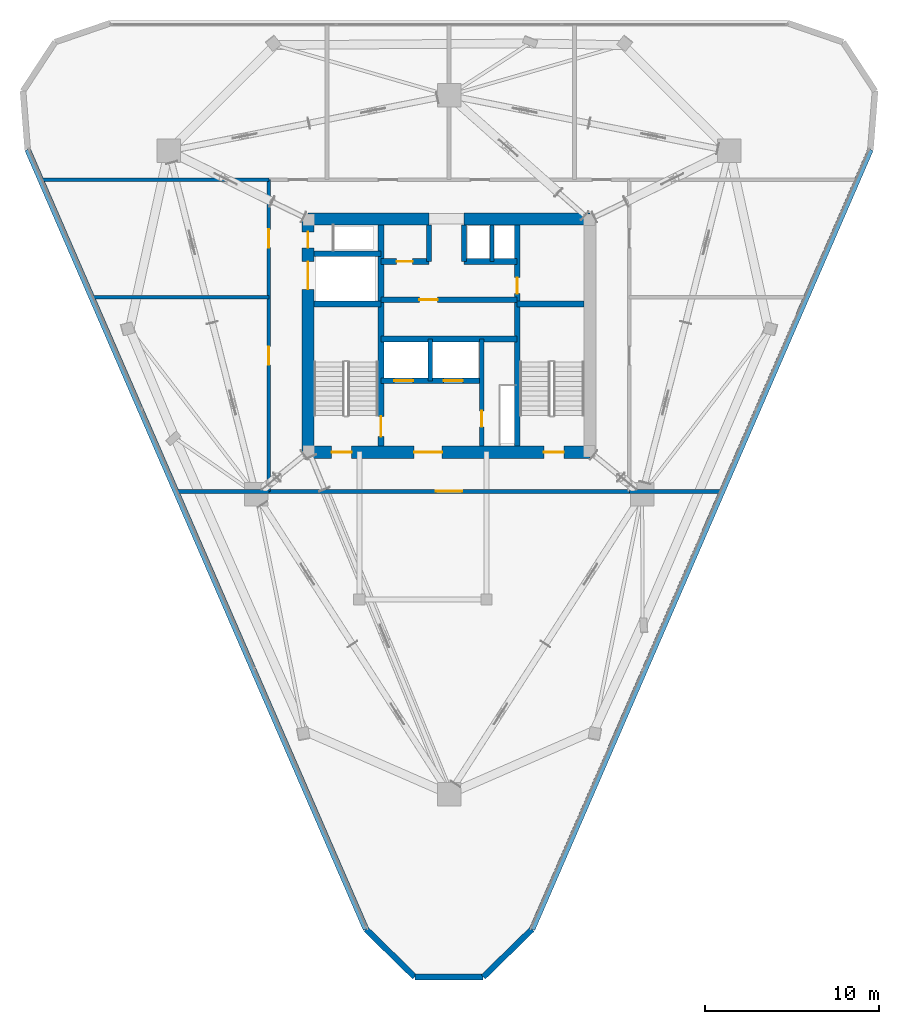
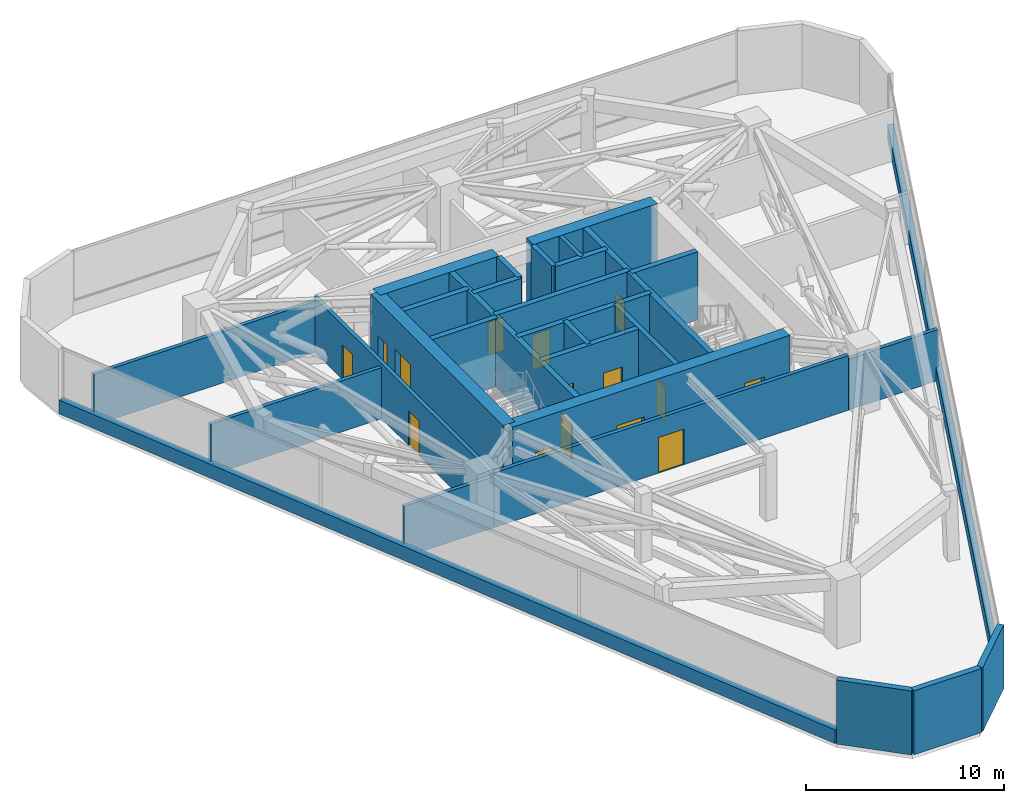
# One storey, part 10 of 12: 30 walls, 15 doors, 15 openings.
"""IFC4 building model written with IfcOpenShell, lengths in metres."""

import ifcopenshell
import ifcopenshell.guid

model = None  # the IFC model being written
_history = None  # IfcOwnerHistory: only IFC2X3 demands one
_inside = {}  # id of a spatial element -> (the spatial element, [elements in it])
_under = {}  # id of a project, library or spatial element -> (it, [spatial elements below it])
_declared = {}  # id of a project -> (the project, [libraries it declares])
_typed = {}  # id of a type object -> (the type object, [elements of that type])
_made_of = {}  # id of a material, layer set ... -> (it, [elements and type objects made of it])


def new_model(schema):
    """Start an empty IFC model of exactly this schema.

    Asked for "IFC4X3", IfcOpenShell would pick the latest addendum, in which some entities
    have other attributes; the version numbers below select the first issue.
    IFC2X3 requires an IfcOwnerHistory on every rooted entity: one is made here for all.
    """
    global model, _history
    if schema == "IFC4X3":
        model = ifcopenshell.file(schema_version=(4, 3, 0, 0))
    else:
        model = ifcopenshell.file(schema=schema)
    _inside.clear()
    _under.clear()
    _declared.clear()
    _typed.clear()
    _made_of.clear()
    _history = None
    if model.schema == "IFC2X3":
        org = make("IfcOrganization", Name="unknown")
        user = make(
            "IfcPersonAndOrganization",
            ThePerson=make("IfcPerson", FamilyName="unknown"),
            TheOrganization=org,
        )
        app = make(
            "IfcApplication",
            ApplicationDeveloper=org,
            Version="unknown",
            ApplicationFullName="unknown",
            ApplicationIdentifier="unknown",
        )
        _history = make(
            "IfcOwnerHistory",
            OwningUser=user,
            OwningApplication=app,
            ChangeAction="ADDED",
            CreationDate=0,
        )
    return model


def make(cls, **values):
    """One entity of the class cls with the attributes given. An attribute that is None is left unset."""
    return model.create_entity(
        cls, **{name: value for name, value in values.items() if value is not None}
    )


def rooted(cls, **values):
    """An entity with a GlobalId (a new one), such as an element, a storey or a relation."""
    return make(cls, GlobalId=ifcopenshell.guid.new(), OwnerHistory=_history, **values)


def si_unit(unit_type, name, prefix=None):
    """IfcSIUnit, for example si_unit("LENGTHUNIT", "METRE", prefix="MILLI")."""
    return make("IfcSIUnit", UnitType=unit_type, Prefix=prefix, Name=name)


def assignment(units):
    """IfcUnitAssignment: the units of a project."""
    return None if units is None else make("IfcUnitAssignment", Units=units)


def point(xyz):
    """IfcCartesianPoint."""
    return None if xyz is None else make("IfcCartesianPoint", Coordinates=xyz)


def direction(xyz):
    """IfcDirection."""
    return None if xyz is None else make("IfcDirection", DirectionRatios=xyz)


def frame(location, z_axis=None, x_axis=None):
    """IfcAxis2Placement3D, a coordinate frame: its origin and axes. An axis left out is left unset."""
    return make(
        "IfcAxis2Placement3D",
        Location=point(location),
        Axis=direction(z_axis),
        RefDirection=direction(x_axis),
    )


def frame_2d(location, x_axis=None):
    """IfcAxis2Placement2D, a coordinate frame in the plane: its origin and x axis."""
    return make(
        "IfcAxis2Placement2D", Location=point(location), RefDirection=direction(x_axis)
    )


def origin():
    """The frame at (0, 0, 0) with its axes left unset."""
    return frame((0.0, 0.0, 0.0))


def place(relative_to, where):
    """IfcLocalPlacement: puts the frame where relative to a parent placement (None: the world)."""
    return make(
        "IfcLocalPlacement", PlacementRelTo=relative_to, RelativePlacement=where
    )


def context(
    kind, dimensions, precision=None, world=None, true_north=None, identifier=None
):
    """IfcGeometricRepresentationContext, for example the 3D "Model" context."""
    return make(
        "IfcGeometricRepresentationContext",
        ContextIdentifier=identifier,
        ContextType=kind,
        CoordinateSpaceDimension=dimensions,
        Precision=precision,
        WorldCoordinateSystem=world,
        TrueNorth=true_north,
    )


def subcontext(parent, identifier, kind, view, scale=None):
    """IfcGeometricRepresentationSubContext, for example "Body" below "Model"."""
    return make(
        "IfcGeometricRepresentationSubContext",
        ContextIdentifier=identifier,
        ContextType=kind,
        ParentContext=parent,
        TargetScale=scale,
        TargetView=view,
    )


def project(units=None, contexts=None):
    """IfcProject with its units and contexts."""
    return rooted(
        "IfcProject",
        Name="project",
        RepresentationContexts=contexts,
        UnitsInContext=assignment(units),
    )


def spatial(cls, under=None, at=None, **own):
    """A site, building, storey or space (cls), placed at a placement, below another one or the project."""
    s = rooted(cls, ObjectPlacement=at, **own)
    if under is not None:
        _under.setdefault(under.id(), (under, []))[1].append(s)
    return s


def profile(cls, at=None, kind="AREA", **sizes):
    """A parametric profile (cls). Its sizes go by their IFC names, for example OverallWidth=200.0."""
    return make(cls, ProfileType=kind, Position=at, **sizes)


def rectangle(**sizes):
    """IfcRectangleProfileDef."""
    return profile("IfcRectangleProfileDef", **sizes)


def extrude(swept, where, along, depth):
    """IfcExtrudedAreaSolid: the profile swept, set in the frame where, extruded along a direction by depth."""
    return make(
        "IfcExtrudedAreaSolid",
        SweptArea=swept,
        Position=where,
        ExtrudedDirection=direction(along),
        Depth=depth,
    )


def shape(context_of_items, identifier, shape_type, items):
    """IfcShapeRepresentation: the items that make up one representation, for example the "Body"."""
    return make(
        "IfcShapeRepresentation",
        ContextOfItems=context_of_items,
        RepresentationIdentifier=identifier,
        RepresentationType=shape_type,
        Items=items,
    )


def material(Name=None, Category=None):
    """IfcMaterial."""
    return make("IfcMaterial", Name=Name, Category=Category)


def layer(
    of_material, thickness, ventilated=None, Name=None, Category=None, Priority=None
):
    """IfcMaterialLayer: one layer of a wall or slab, of a material (None: an air gap)."""
    return make(
        "IfcMaterialLayer",
        Material=of_material,
        LayerThickness=thickness,
        IsVentilated=ventilated,
        Name=Name,
        Category=Category,
        Priority=Priority,
    )


def layer_set(layers, Name=None):
    """IfcMaterialLayerSet."""
    return make("IfcMaterialLayerSet", MaterialLayers=layers, LayerSetName=Name)


def made_of(thing, what):
    """Note that an element or type object is made of a material, layer set ...; save() writes the relation."""
    if what is not None:
        _made_of.setdefault(what.id(), (what, []))[1].append(thing)
    return thing


def type_object(cls, material=None, **own):
    """A type object (cls), such as IfcWallType, which elements share."""
    return made_of(rooted(cls, **own), material)


def element(
    cls,
    number,
    at=None,
    inside=None,
    cuts=None,
    type_object=None,
    material=None,
    context=None,
    identifier="Body",
    shape_type=None,
    held_by="IfcProductDefinitionShape",
    body=None,
    shapes=None,
    **own,
):
    """One element of the class cls, such as IfcWall. Its Tag is "e" and its number.

    at: its placement. inside: the storey or other place that contains it. cuts: it is an
    opening in that element (IfcRelVoidsElement). A single representation is given by context,
    identifier, shape_type and body (its items); several are given by shapes. held_by: the class
    of the entity that holds the representations. save() writes the other relations.
    """
    e = rooted(cls, Tag="e%d" % number, ObjectPlacement=at, **own)
    if body is not None:
        shapes = [shape(context, identifier, shape_type, body)]
    if shapes is not None:
        e.Representation = make(held_by, Representations=shapes)
    if inside is not None:
        _inside.setdefault(inside.id(), (inside, []))[1].append(e)
    if cuts is not None:
        rooted(
            "IfcRelVoidsElement", RelatingBuildingElement=cuts, RelatedOpeningElement=e
        )
    if type_object is not None:
        _typed.setdefault(type_object.id(), (type_object, []))[1].append(e)
    return made_of(e, material)


def fill(opening, filler):
    """IfcRelFillsElement: the door or window that sits in an opening."""
    return rooted(
        "IfcRelFillsElement",
        RelatingOpeningElement=opening,
        RelatedBuildingElement=filler,
    )


def aggregate(whole, parts):
    """IfcRelAggregates: a whole, such as a stair, and the parts it consists of."""
    return rooted("IfcRelAggregates", RelatingObject=whole, RelatedObjects=parts)


def save(model, path):
    """Write the relations noted so far, then the file.

    IfcRelAggregates (storeys below a building ...), IfcRelContainedInSpatialStructure (elements
    in a storey), IfcRelDefinesByType, IfcRelAssociatesMaterial and IfcRelDeclares: one each for
    every whole, place, type object, material and project.
    """
    for whole, parts in _under.values():
        aggregate(whole, parts)
    for where, things in _inside.values():
        rooted(
            "IfcRelContainedInSpatialStructure",
            RelatedElements=things,
            RelatingStructure=where,
        )
    for kind, things in _typed.values():
        rooted("IfcRelDefinesByType", RelatedObjects=things, RelatingType=kind)
    for what, things in _made_of.values():
        rooted("IfcRelAssociatesMaterial", RelatedObjects=things, RelatingMaterial=what)
    for by, libraries in _declared.values():
        rooted("IfcRelDeclares", RelatingContext=by, RelatedDefinitions=libraries)
    model.write(path)


model = new_model("IFC4")

# Units and contexts
model_context = context("Model", 3, precision=1e-05, world=origin(), true_north=direction((0.0, 1.0)))
body_context = subcontext(model_context, "Body", "Model", "MODEL_VIEW")
ifc_project = project(units=[si_unit("LENGTHUNIT", "METRE"), si_unit("AREAUNIT", "SQUARE_METRE"), si_unit("VOLUMEUNIT", "CUBIC_METRE"), si_unit("PLANEANGLEUNIT", "RADIAN"), si_unit("MASSUNIT", "GRAM", prefix="KILO")], contexts=[model_context])

# Site, building, storey
site_placement = place(None, origin())
site = spatial("IfcSite", under=ifc_project, at=site_placement, CompositionType="ELEMENT")
building_placement = place(site_placement, origin())
building = spatial("IfcBuilding", under=site, at=building_placement, Name="Talyreon Biosciences Tower", CompositionType="ELEMENT")
storey_placement = place(building_placement, frame((0.0, 0.0, 227.39990234375)))
storey = spatial("IfcBuildingStorey", under=building, at=storey_placement, Name="L60", CompositionType="ELEMENT", Elevation=227.39990234375)

# Walls
ifc_material_1 = material(Name="Concrete C50/60", Category="concrete")
ifc_layer_1 = layer(ifc_material_1, 0.219970703125)
ifc_layer_set_1 = layer_set([ifc_layer_1], Name="Concrete C50/60")
wall_type_1 = type_object("IfcWallType", Name="CoreShearWall_220", PredefinedType="SHEAR", material=ifc_layer_set_1)
wall_1_placement = place(storey_placement, frame((68.4599609375, 72.25, 0.0), z_axis=(0.0, 0.0, 1.0), x_axis=(0.0, 1.0, 0.0)))
element("IfcWall", 1, at=wall_1_placement, inside=storey, type_object=wall_type_1, Name="L60 Core Shaft Wall SWPHD", PredefinedType="SHEAR", context=body_context, shape_type="SweptSolid", body=[
    extrude(rectangle(XDim=2.10009765625, YDim=0.219970703125, at=frame_2d((1.050048828125, 0.0))), origin(), (0.0, 0.0, 1.0), 4.2001953125),
])
ifc_layer_2 = layer(ifc_material_1, 0.280029296875)
ifc_layer_set_2 = layer_set([ifc_layer_2], Name="Concrete C50/60")
wall_type_2 = type_object("IfcWallType", Name="CoreShearWall_280", PredefinedType="SHEAR", material=ifc_layer_set_2)
wall_2_placement = place(storey_placement, frame((64.919921875, 65.39990234375, 0.0), z_axis=(0.0, 0.0, 1.0), x_axis=(0.0, 1.0, 0.0)))
element("IfcWall", 2, at=wall_2_placement, inside=storey, type_object=wall_type_2, Name="L60 Core Shaft Wall SWSHD1", PredefinedType="SHEAR", context=body_context, shape_type="SweptSolid", body=[
    extrude(rectangle(XDim=2.400146484375, YDim=0.280029296875, at=frame_2d((1.2001953125, 0.0))), origin(), (0.0, 0.0, 1.0), 4.2001953125),
])
for number, where, z_axis, x_axis, name in (
    (3, (64.85009765625, 72.25, 0.0), (0.0, 0.0, 1.0), (0.0, 1.0, 0.0), "L60 Core Shaft Wall SWTHW"),
    (4, (66.85009765625, 72.25, 0.0), (0.0, 0.0, 1.0), (0.0, 1.0, 0.0), "L60 Core Shaft Wall SWTHE"),
):
    element("IfcWall", number, at=place(storey_placement, frame(where, z_axis=z_axis, x_axis=x_axis)), inside=storey, type_object=wall_type_2, Name=name, PredefinedType="SHEAR", context=body_context, shape_type="SweptSolid", body=[
        extrude(rectangle(XDim=2.10009765625, YDim=0.280029296875, at=frame_2d((1.050048828125, 0.0))), origin(), (0.0, 0.0, 1.0), 4.2001953125),
    ])

# Wall, opening, door
wall_3_placement = place(storey_placement, frame((67.8798828125, 61.64990234375, 0.0), z_axis=(0.0, 0.0, 1.0), x_axis=(0.0, 1.0, 0.0)))
wall_3 = element("IfcWall", 5, at=wall_3_placement, inside=storey, type_object=wall_type_2, Name="L60 Core Shaft Wall SWFFE", PredefinedType="SHEAR", context=body_context, shape_type="SweptSolid", body=[
    extrude(rectangle(XDim=6.150146484375, YDim=0.280029296875, at=frame_2d((3.0751953125, 0.0))), origin(), (0.0, 0.0, 1.0), 4.2001953125),
])
opening_1_placement = place(wall_3_placement, frame((1.10009765625, 0.0, 0.0)))
opening_1 = element("IfcOpeningElement", 6, at=opening_1_placement, cuts=wall_3, Name="Opening DR-L60-RSE", PredefinedType="OPENING", context=body_context, shape_type="SweptSolid", body=[
    extrude(rectangle(XDim=0.919921875, YDim=2.050048828125, at=frame_2d((0.4599609375, 1.02490234375))), frame((0.0, 0.14990234375, 0.0), z_axis=(0.0, -1.0, 0.0), x_axis=(1.0, 0.0, 0.0)), (0.0, 0.0, 1.0), 0.300048828125),
])
ifc_material_2 = material(Name="Painted steel fire-rated riser door", Category="steel")
door_type_1 = type_object("IfcDoorType", Name="RiserPlantAccessDoor_920x2050", OperationType="NOTDEFINED", PredefinedType="DOOR", material=ifc_material_2)
door_1_placement = place(opening_1_placement, origin())
door_1 = element("IfcDoor", 7, at=door_1_placement, inside=storey, type_object=door_type_1, Name="L60 Core Door DR-L60-RSE", OperationType="SINGLE_SWING_RIGHT", OverallHeight=2.050048828125, OverallWidth=0.919921875, PredefinedType="DOOR", context=body_context, shape_type="SweptSolid", body=[
    extrude(rectangle(XDim=0.919921875, YDim=2.050048828125, at=frame_2d((0.4599609375, 1.02490234375))), frame((0.0, 0.02490234375, 0.0), z_axis=(0.0, -1.0, 0.0), x_axis=(1.0, 0.0, 0.0)), (0.0, 0.0, 1.0), 0.050048828125),
])
fill(opening_1, door_1)

ifc_layer_3 = layer(ifc_material_1, 0.320068359375)
ifc_layer_set_3 = layer_set([ifc_layer_3], Name="Concrete C50/60")
wall_type_3 = type_object("IfcWallType", Name="CoreShearWall_320", PredefinedType="SHEAR", material=ifc_layer_set_3)
wall_4_placement = place(storey_placement, frame((62.090087890625, 61.64990234375, 0.0), z_axis=(0.0, 0.0, 1.0), x_axis=(0.0, 1.0, 0.0)))
wall_4 = element("IfcWall", 8, at=wall_4_placement, inside=storey, type_object=wall_type_3, Name="L60 Core Shaft Wall SW1E", PredefinedType="SHEAR", context=body_context, shape_type="SweptSolid", body=[
    extrude(rectangle(XDim=12.7001953125, YDim=0.320068359375, at=frame_2d((6.35009765625, 0.0))), origin(), (0.0, 0.0, 1.0), 4.2001953125),
])
opening_2_placement = place(wall_4_placement, frame((0.550048828125, 0.0, 0.0)))
opening_2 = element("IfcOpeningElement", 9, at=opening_2_placement, cuts=wall_4, Name="Opening DR-L60-FF-ST1", PredefinedType="OPENING", context=body_context, shape_type="SweptSolid", body=[
    extrude(rectangle(XDim=1.14990234375, YDim=2.14990234375, at=frame_2d((0.574951171875, 1.074951171875))), frame((0.0, 0.169921875, 0.0), z_axis=(0.0, -1.0, 0.0), x_axis=(1.0, 0.0, 0.0)), (0.0, 0.0, 1.0), 0.340087890625),
])
ifc_material_3 = material(Name="Painted steel fire door", Category="steel")
door_type_2 = type_object("IfcDoorType", Name="StairShaftFireDoor_1150x2150", OperationType="NOTDEFINED", PredefinedType="DOOR", material=ifc_material_3)
door_2_placement = place(opening_2_placement, origin())
door_2 = element("IfcDoor", 10, at=door_2_placement, inside=storey, type_object=door_type_2, Name="L60 Core Door DR-L60-FF-ST1", OperationType="SINGLE_SWING_LEFT", OverallHeight=2.14990234375, OverallWidth=1.14990234375, PredefinedType="DOOR", context=body_context, shape_type="SweptSolid", body=[
    extrude(rectangle(XDim=1.14990234375, YDim=2.14990234375, at=frame_2d((0.574951171875, 1.074951171875))), frame((0.0, 0.02490234375, 0.0), z_axis=(0.0, -1.0, 0.0), x_axis=(1.0, 0.0, 0.0)), (0.0, 0.0, 1.0), 0.050048828125),
])
fill(opening_2, door_2)

wall_5_placement = place(storey_placement, frame((69.909912109375, 61.64990234375, 0.0), z_axis=(0.0, 0.0, 1.0), x_axis=(0.0, 1.0, 0.0)))
wall_5 = element("IfcWall", 11, at=wall_5_placement, inside=storey, type_object=wall_type_3, Name="L60 Core Shaft Wall SW2W", PredefinedType="SHEAR", context=body_context, shape_type="SweptSolid", body=[
    extrude(rectangle(XDim=12.7001953125, YDim=0.320068359375, at=frame_2d((6.35009765625, 0.0))), origin(), (0.0, 0.0, 1.0), 4.2001953125),
])
opening_3_placement = place(wall_5_placement, frame((8.75, 0.0, 0.0)))
opening_3 = element("IfcOpeningElement", 12, at=opening_3_placement, cuts=wall_5, Name="Opening DR-L60-CSRV", PredefinedType="OPENING", context=body_context, shape_type="SweptSolid", body=[
    extrude(rectangle(XDim=0.919921875, YDim=2.050048828125, at=frame_2d((0.4599609375, 1.02490234375))), frame((0.0, 0.169921875, 0.0), z_axis=(0.0, -1.0, 0.0), x_axis=(1.0, 0.0, 0.0)), (0.0, 0.0, 1.0), 0.340087890625),
])
door_3_placement = place(opening_3_placement, origin())
door_3 = element("IfcDoor", 13, at=door_3_placement, inside=storey, type_object=door_type_1, Name="L60 Core Door DR-L60-CSRV", OperationType="SINGLE_SWING_RIGHT", OverallHeight=2.050048828125, OverallWidth=0.919921875, PredefinedType="DOOR", context=body_context, shape_type="SweptSolid", body=[
    extrude(rectangle(XDim=0.919921875, YDim=2.050048828125, at=frame_2d((0.4599609375, 1.02490234375))), frame((0.0, 0.02490234375, 0.0), z_axis=(0.0, -1.0, 0.0), x_axis=(1.0, 0.0, 0.0)), (0.0, 0.0, 1.0), 0.050048828125),
])
fill(opening_3, door_3)

# Walls
for number, where, z_axis, x_axis, name in (
    (14, (58.25, 69.81005859375, 0.0), (0.0, 0.0, 1.0), (1.0, 0.0, 0.0), "L60 Core Shaft Wall SW1N"),
    (15, (69.909912109375, 69.81005859375, 0.0), (0.0, 0.0, 1.0), (1.0, 0.0, 0.0), "L60 Core Shaft Wall SW2N"),
    (16, (58.25, 72.699951171875, 0.0), (0.0, 0.0, 1.0), (1.0, 0.0, 0.0), "L60 Core Shaft Wall SWGLN"),
):
    element("IfcWall", number, at=place(storey_placement, frame(where, z_axis=z_axis, x_axis=x_axis)), inside=storey, type_object=wall_type_3, Name=name, PredefinedType="SHEAR", context=body_context, shape_type="SweptSolid", body=[
        extrude(rectangle(XDim=3.840087890625, YDim=0.320068359375, at=frame_2d((1.919921875, 0.0))), origin(), (0.0, 0.0, 1.0), 4.2001953125),
    ])
wall_6_placement = place(storey_placement, frame((62.090087890625, 67.800048828125, 0.0), z_axis=(0.0, 0.0, 1.0), x_axis=(1.0, 0.0, 0.0)))
element("IfcWall", 17, at=wall_6_placement, inside=storey, type_object=wall_type_3, Name="L60 Core Shaft Wall SWSHM", PredefinedType="SHEAR", context=body_context, shape_type="SweptSolid", body=[
    extrude(rectangle(XDim=7.81982421875, YDim=0.320068359375, at=frame_2d((3.909912109375, 0.0))), origin(), (0.0, 0.0, 1.0), 4.2001953125),
])

# Wall, opening, door
wall_7_placement = place(storey_placement, frame((62.090087890625, 70.050048828125, 0.0), z_axis=(0.0, 0.0, 1.0), x_axis=(1.0, 0.0, 0.0)))
wall_7 = element("IfcWall", 18, at=wall_7_placement, inside=storey, type_object=wall_type_3, Name="L60 Core Shaft Wall SWSPN", PredefinedType="SHEAR", context=body_context, shape_type="SweptSolid", body=[
    extrude(rectangle(XDim=7.81982421875, YDim=0.320068359375, at=frame_2d((3.909912109375, 0.0))), origin(), (0.0, 0.0, 1.0), 4.2001953125),
])
opening_4_placement = place(wall_7_placement, frame((2.199951171875, 0.0, 0.0)))
opening_4 = element("IfcOpeningElement", 19, at=opening_4_placement, cuts=wall_7, Name="Opening DR-L60-PLPMFREE", PredefinedType="OPENING", context=body_context, shape_type="SweptSolid", body=[
    extrude(rectangle(XDim=1.050048828125, YDim=2.14990234375, at=frame_2d((0.52490234375, 1.074951171875))), frame((0.0, 0.169921875, 0.0), z_axis=(0.0, -1.0, 0.0), x_axis=(1.0, 0.0, 0.0)), (0.0, 0.0, 1.0), 0.340087890625),
])
ifc_material_4 = material(Name="Acoustic timber-core laboratory door", Category="wood")
door_type_3 = type_object("IfcDoorType", Name="DryLabSingleDoor_1050x2150", OperationType="NOTDEFINED", PredefinedType="DOOR", material=ifc_material_4)
door_4_placement = place(opening_4_placement, origin())
door_4 = element("IfcDoor", 20, at=door_4_placement, inside=storey, type_object=door_type_3, Name="L60 Core Door DR-L60-PLPMFREE", OperationType="SINGLE_SWING_LEFT", OverallHeight=2.14990234375, OverallWidth=1.050048828125, PredefinedType="DOOR", context=body_context, shape_type="SweptSolid", body=[
    extrude(rectangle(XDim=1.050048828125, YDim=2.14990234375, at=frame_2d((0.52490234375, 1.074951171875))), frame((0.0, 0.02490234375, 0.0), z_axis=(0.0, -1.0, 0.0), x_axis=(1.0, 0.0, 0.0)), (0.0, 0.0, 1.0), 0.050048828125),
])
fill(opening_4, door_4)

wall_8_placement = place(storey_placement, frame((62.090087890625, 72.25, 0.0), z_axis=(0.0, 0.0, 1.0), x_axis=(1.0, 0.0, 0.0)))
wall_8 = element("IfcWall", 21, at=wall_8_placement, inside=storey, type_object=wall_type_3, Name="L60 Core Shaft Wall SWNPW", PredefinedType="SHEAR", context=body_context, shape_type="SweptSolid", body=[
    extrude(rectangle(XDim=2.760009765625, YDim=0.320068359375, at=frame_2d((1.3798828125, 0.0))), origin(), (0.0, 0.0, 1.0), 4.2001953125),
])
opening_5_placement = place(wall_8_placement, frame((0.89990234375, 0.0, 0.0)))
opening_5 = element("IfcOpeningElement", 22, at=opening_5_placement, cuts=wall_8, Name="Opening DR-L60-PM2FREE", PredefinedType="OPENING", context=body_context, shape_type="SweptSolid", body=[
    extrude(rectangle(XDim=0.919921875, YDim=2.050048828125, at=frame_2d((0.4599609375, 1.02490234375))), frame((0.0, 0.169921875, 0.0), z_axis=(0.0, -1.0, 0.0), x_axis=(1.0, 0.0, 0.0)), (0.0, 0.0, 1.0), 0.340087890625),
])
door_5_placement = place(opening_5_placement, origin())
door_5 = element("IfcDoor", 23, at=door_5_placement, inside=storey, type_object=door_type_1, Name="L60 Core Door DR-L60-PM2FREE", OperationType="SINGLE_SWING_RIGHT", OverallHeight=2.050048828125, OverallWidth=0.919921875, PredefinedType="DOOR", context=body_context, shape_type="SweptSolid", body=[
    extrude(rectangle(XDim=0.919921875, YDim=2.050048828125, at=frame_2d((0.4599609375, 1.02490234375))), frame((0.0, 0.02490234375, 0.0), z_axis=(0.0, -1.0, 0.0), x_axis=(1.0, 0.0, 0.0)), (0.0, 0.0, 1.0), 0.050048828125),
])
fill(opening_5, door_5)

# Wall
wall_9_placement = place(storey_placement, frame((66.85009765625, 72.25, 0.0), z_axis=(0.0, 0.0, 1.0), x_axis=(1.0, 0.0, 0.0)))
element("IfcWall", 24, at=wall_9_placement, inside=storey, type_object=wall_type_3, Name="L60 Core Shaft Wall SWNPE", PredefinedType="SHEAR", context=body_context, shape_type="SweptSolid", body=[
    extrude(rectangle(XDim=3.059814453125, YDim=0.320068359375, at=frame_2d((1.52978515625, 0.0))), origin(), (0.0, 0.0, 1.0), 4.2001953125),
])

# Wall, openings, doors
wall_10_placement = place(storey_placement, frame((62.090087890625, 65.39990234375, 0.0), z_axis=(0.0, 0.0, 1.0), x_axis=(1.0, 0.0, 0.0)))
wall_10 = element("IfcWall", 25, at=wall_10_placement, inside=storey, type_object=wall_type_3, Name="L60 Core Shaft Wall SWFFN", PredefinedType="SHEAR", context=body_context, shape_type="SweptSolid", body=[
    extrude(rectangle(XDim=5.789794921875, YDim=0.320068359375, at=frame_2d((2.89501953125, 0.0))), origin(), (0.0, 0.0, 1.0), 4.2001953125),
])
opening_6_placement = place(wall_10_placement, frame((0.75, 0.0, 0.0)))
opening_6 = element("IfcOpeningElement", 26, at=opening_6_placement, cuts=wall_10, Name="Opening LD-L60-FL1", PredefinedType="OPENING", context=body_context, shape_type="SweptSolid", body=[
    extrude(rectangle(XDim=1.10009765625, YDim=2.199951171875, at=frame_2d((0.550048828125, 1.10009765625))), frame((0.0, 0.169921875, 0.0), z_axis=(0.0, -1.0, 0.0), x_axis=(1.0, 0.0, 0.0)), (0.0, 0.0, 1.0), 0.340087890625),
])
opening_7_placement = place(wall_10_placement, frame((3.60009765625, 0.0, 0.0)))
opening_7 = element("IfcOpeningElement", 27, at=opening_7_placement, cuts=wall_10, Name="Opening LD-L60-FL2", PredefinedType="OPENING", context=body_context, shape_type="SweptSolid", body=[
    extrude(rectangle(XDim=1.10009765625, YDim=2.199951171875, at=frame_2d((0.550048828125, 1.10009765625))), frame((0.0, 0.169921875, 0.0), z_axis=(0.0, -1.0, 0.0), x_axis=(1.0, 0.0, 0.0)), (0.0, 0.0, 1.0), 0.340087890625),
])
ifc_material_5 = material(Name="Brushed stainless-steel lift landing door", Category="steel")
door_type_4 = type_object("IfcDoorType", Name="LiftSlidingLandingDoor_1100x2200", OperationType="SLIDING_TO_LEFT", PredefinedType="DOOR", material=ifc_material_5)
door_6_placement = place(opening_6_placement, origin())
door_6 = element("IfcDoor", 28, at=door_6_placement, inside=storey, type_object=door_type_4, Name="L60 Core Door LD-L60-FL1", OperationType="SLIDING_TO_LEFT", OverallHeight=2.199951171875, OverallWidth=1.10009765625, PredefinedType="DOOR", context=body_context, shape_type="SweptSolid", body=[
    extrude(rectangle(XDim=1.10009765625, YDim=2.199951171875, at=frame_2d((0.550048828125, 1.10009765625))), frame((0.0, 0.02490234375, 0.0), z_axis=(0.0, -1.0, 0.0), x_axis=(1.0, 0.0, 0.0)), (0.0, 0.0, 1.0), 0.050048828125),
])
fill(opening_6, door_6)
door_7_placement = place(opening_7_placement, origin())
door_7 = element("IfcDoor", 29, at=door_7_placement, inside=storey, type_object=door_type_4, Name="L60 Core Door LD-L60-FL2", OperationType="SLIDING_TO_LEFT", OverallHeight=2.199951171875, OverallWidth=1.10009765625, PredefinedType="DOOR", context=body_context, shape_type="SweptSolid", body=[
    extrude(rectangle(XDim=1.10009765625, YDim=2.199951171875, at=frame_2d((0.550048828125, 1.10009765625))), frame((0.0, 0.02490234375, 0.0), z_axis=(0.0, -1.0, 0.0), x_axis=(1.0, 0.0, 0.0)), (0.0, 0.0, 1.0), 0.050048828125),
])
fill(opening_7, door_7)

ifc_layer_4 = layer(ifc_material_1, 0.699951171875)
ifc_layer_set_4 = layer_set([ifc_layer_4], Name="Concrete C50/60")
wall_type_4 = type_object("IfcWallType", Name="CoreShearWall_700", PredefinedType="SHEAR", material=ifc_layer_set_4)
wall_11_placement = place(storey_placement, frame((57.89990234375, 61.300048828125, 0.0), z_axis=(0.0, 0.0, 1.0), x_axis=(1.0, 0.0, 0.0)))
wall_11 = element("IfcWall", 30, at=wall_11_placement, inside=storey, type_object=wall_type_4, Name="L60 Core Shear Wall S", PredefinedType="SHEAR", context=body_context, shape_type="SweptSolid", body=[
    extrude(rectangle(XDim=16.2001953125, YDim=0.699951171875, at=frame_2d((8.10009765625, 0.0))), origin(), (0.0, 0.0, 1.0), 4.2001953125),
])
opening_8_placement = place(wall_11_placement, frame((1.35009765625, 0.0, 0.0)))
opening_8 = element("IfcOpeningElement", 31, at=opening_8_placement, cuts=wall_11, Name="Opening DR-L60-ST1", PredefinedType="OPENING", context=body_context, shape_type="SweptSolid", body=[
    extrude(rectangle(XDim=1.14990234375, YDim=2.14990234375, at=frame_2d((0.574951171875, 1.074951171875))), frame((0.0, 0.35986328125, 0.0), z_axis=(0.0, -1.0, 0.0), x_axis=(1.0, 0.0, 0.0)), (0.0, 0.0, 1.0), 0.719970703125),
])
opening_9_placement = place(wall_11_placement, frame((6.10009765625, 0.0, 0.0)))
opening_9 = element("IfcOpeningElement", 32, at=opening_9_placement, cuts=wall_11, Name="Opening DR-L60-FFL", PredefinedType="OPENING", context=body_context, shape_type="SweptSolid", body=[
    extrude(rectangle(XDim=1.60009765625, YDim=2.14990234375, at=frame_2d((0.800048828125, 1.074951171875))), frame((0.0, 0.35986328125, 0.0), z_axis=(0.0, -1.0, 0.0), x_axis=(1.0, 0.0, 0.0)), (0.0, 0.0, 1.0), 0.719970703125),
])
opening_10_placement = place(wall_11_placement, frame((13.550048828125, 0.0, 0.0)))
opening_10 = element("IfcOpeningElement", 33, at=opening_10_placement, cuts=wall_11, Name="Opening DR-L60-ST2", PredefinedType="OPENING", context=body_context, shape_type="SweptSolid", body=[
    extrude(rectangle(XDim=1.14990234375, YDim=2.14990234375, at=frame_2d((0.574951171875, 1.074951171875))), frame((0.0, 0.35986328125, 0.0), z_axis=(0.0, -1.0, 0.0), x_axis=(1.0, 0.0, 0.0)), (0.0, 0.0, 1.0), 0.719970703125),
])
ifc_material_6 = material(Name="Painted steel smoke-seal fire door", Category="steel")
door_type_5 = type_object("IfcDoorType", Name="FirefightingLobbyDoubleDoor_1600x2150", OperationType="DOUBLE_DOOR_SINGLE_SWING", PredefinedType="DOOR", material=ifc_material_6)
door_8_placement = place(opening_9_placement, origin())
door_8 = element("IfcDoor", 34, at=door_8_placement, inside=storey, type_object=door_type_5, Name="L60 Core Door DR-L60-FFL", OperationType="DOUBLE_DOOR_SINGLE_SWING", OverallHeight=2.14990234375, OverallWidth=1.60009765625, PredefinedType="DOOR", context=body_context, shape_type="SweptSolid", body=[
    extrude(rectangle(XDim=1.60009765625, YDim=2.14990234375, at=frame_2d((0.800048828125, 1.074951171875))), frame((0.0, 0.02490234375, 0.0), z_axis=(0.0, -1.0, 0.0), x_axis=(1.0, 0.0, 0.0)), (0.0, 0.0, 1.0), 0.050048828125),
])
fill(opening_9, door_8)
door_9_placement = place(opening_8_placement, origin())
door_9 = element("IfcDoor", 35, at=door_9_placement, inside=storey, type_object=door_type_2, Name="L60 Core Door DR-L60-ST1", OperationType="SINGLE_SWING_LEFT", OverallHeight=2.14990234375, OverallWidth=1.14990234375, PredefinedType="DOOR", context=body_context, shape_type="SweptSolid", body=[
    extrude(rectangle(XDim=1.14990234375, YDim=2.14990234375, at=frame_2d((0.574951171875, 1.074951171875))), frame((0.0, 0.02490234375, 0.0), z_axis=(0.0, -1.0, 0.0), x_axis=(1.0, 0.0, 0.0)), (0.0, 0.0, 1.0), 0.050048828125),
])
fill(opening_8, door_9)
door_10_placement = place(opening_10_placement, origin())
door_10 = element("IfcDoor", 36, at=door_10_placement, inside=storey, type_object=door_type_2, Name="L60 Core Door DR-L60-ST2", OperationType="SINGLE_SWING_RIGHT", OverallHeight=2.14990234375, OverallWidth=1.14990234375, PredefinedType="DOOR", context=body_context, shape_type="SweptSolid", body=[
    extrude(rectangle(XDim=1.14990234375, YDim=2.14990234375, at=frame_2d((0.574951171875, 1.074951171875))), frame((0.0, 0.02490234375, 0.0), z_axis=(0.0, -1.0, 0.0), x_axis=(1.0, 0.0, 0.0)), (0.0, 0.0, 1.0), 0.050048828125),
])
fill(opening_10, door_10)

# Walls
wall_12_placement = place(storey_placement, frame((74.10009765625, 74.699951171875, 0.0), z_axis=(0.0, 0.0, 1.0), x_axis=(-1.0, 0.0, 0.0)))
element("IfcWall", 37, at=wall_12_placement, inside=storey, type_object=wall_type_4, Name="L60 Core Shear Wall NE", PredefinedType="SHEAR", context=body_context, shape_type="SweptSolid", body=[
    extrude(rectangle(XDim=7.25, YDim=0.699951171875, at=frame_2d((3.625, 0.0))), origin(), (0.0, 0.0, 1.0), 4.2001953125),
])
wall_13_placement = place(storey_placement, frame((64.85009765625, 74.699951171875, 0.0), z_axis=(0.0, 0.0, 1.0), x_axis=(-1.0, 0.0, 0.0)))
element("IfcWall", 38, at=wall_13_placement, inside=storey, type_object=wall_type_4, Name="L60 Core Shear Wall NW", PredefinedType="SHEAR", context=body_context, shape_type="SweptSolid", body=[
    extrude(rectangle(XDim=6.9501953125, YDim=0.699951171875, at=frame_2d((3.47509765625, 0.0))), origin(), (0.0, 0.0, 1.0), 4.2001953125),
])

# Wall, openings, doors
wall_14_placement = place(storey_placement, frame((57.89990234375, 74.699951171875, 0.0), z_axis=(0.0, 0.0, 1.0), x_axis=(0.0, -1.0, 0.0)))
wall_14 = element("IfcWall", 39, at=wall_14_placement, inside=storey, type_object=wall_type_4, Name="L60 Core Shear Wall W", PredefinedType="SHEAR", context=body_context, shape_type="SweptSolid", body=[
    extrude(rectangle(XDim=13.39990234375, YDim=0.699951171875, at=frame_2d((6.699951171875, 0.0))), origin(), (0.0, 0.0, 1.0), 4.2001953125),
])
opening_11_placement = place(wall_14_placement, frame((0.75, 0.0, 0.0)))
opening_11 = element("IfcOpeningElement", 40, at=opening_11_placement, cuts=wall_14, Name="Opening DR-L60-RSW", PredefinedType="OPENING", context=body_context, shape_type="SweptSolid", body=[
    extrude(rectangle(XDim=0.919921875, YDim=2.050048828125, at=frame_2d((0.4599609375, 1.02490234375))), frame((0.0, 0.35986328125, 0.0), z_axis=(0.0, -1.0, 0.0), x_axis=(1.0, 0.0, 0.0)), (0.0, 0.0, 1.0), 0.719970703125),
])
opening_12_placement = place(wall_14_placement, frame((2.449951171875, 0.0, 0.0)))
opening_12 = element("IfcOpeningElement", 41, at=opening_12_placement, cuts=wall_14, Name="Opening LD-L60-GL1", PredefinedType="OPENING", context=body_context, shape_type="SweptSolid", body=[
    extrude(rectangle(XDim=1.60009765625, YDim=2.300048828125, at=frame_2d((0.800048828125, 1.14990234375))), frame((0.0, 0.35986328125, 0.0), z_axis=(0.0, -1.0, 0.0), x_axis=(1.0, 0.0, 0.0)), (0.0, 0.0, 1.0), 0.719970703125),
])
ifc_material_7 = material(Name="Heavy-duty stainless-steel goods lift door", Category="steel")
door_type_6 = type_object("IfcDoorType", Name="GoodsLiftSlidingDoor_1600x2300", OperationType="DOUBLE_DOOR_SLIDING", PredefinedType="DOOR", material=ifc_material_7)
door_11_placement = place(opening_12_placement, origin())
door_11 = element("IfcDoor", 42, at=door_11_placement, inside=storey, type_object=door_type_6, Name="L60 Core Door LD-L60-GL1", OperationType="DOUBLE_DOOR_SLIDING", OverallHeight=2.300048828125, OverallWidth=1.60009765625, PredefinedType="DOOR", context=body_context, shape_type="SweptSolid", body=[
    extrude(rectangle(XDim=1.60009765625, YDim=2.300048828125, at=frame_2d((0.800048828125, 1.14990234375))), frame((0.0, 0.02490234375, 0.0), z_axis=(0.0, -1.0, 0.0), x_axis=(1.0, 0.0, 0.0)), (0.0, 0.0, 1.0), 0.050048828125),
])
fill(opening_12, door_11)
door_12_placement = place(opening_11_placement, origin())
door_12 = element("IfcDoor", 43, at=door_12_placement, inside=storey, type_object=door_type_1, Name="L60 Core Door DR-L60-RSW", OperationType="SINGLE_SWING_LEFT", OverallHeight=2.050048828125, OverallWidth=0.919921875, PredefinedType="DOOR", context=body_context, shape_type="SweptSolid", body=[
    extrude(rectangle(XDim=0.919921875, YDim=2.050048828125, at=frame_2d((0.4599609375, 1.02490234375))), frame((0.0, 0.02490234375, 0.0), z_axis=(0.0, -1.0, 0.0), x_axis=(1.0, 0.0, 0.0)), (0.0, 0.0, 1.0), 0.050048828125),
])
fill(opening_11, door_12)

# Walls
ifc_material_8 = material(Name="Gypsum fireboard acoustic stud", Category="gypsum")
ifc_layer_5 = layer(ifc_material_8, 0.219970703125)
ifc_layer_set_5 = layer_set([ifc_layer_5], Name="Gypsum fireboard acoustic stud")
wall_type_5 = type_object("IfcWallType", Name="CorridorRatedPartition_220", PredefinedType="PARTITIONING", material=ifc_layer_set_5)
wall_15_placement = place(storey_placement, frame((42.63916015625, 76.949951171875, 0.0), z_axis=(0.0, 0.0, 1.0), x_axis=(1.0, 0.0, 0.0)))
element("IfcWall", 44, at=wall_15_placement, inside=storey, type_object=wall_type_5, Name="L60 Interior Wall IW-L60-NDIV-NW", PredefinedType="PARTITIONING", context=body_context, shape_type="SweptSolid", body=[
    extrude(rectangle(XDim=13.0107421875, YDim=0.219970703125, at=frame_2d((6.50537109375, 0.0))), origin(), (0.0, 0.0, 1.0), 3.150146484375),
])
wall_16_placement = place(storey_placement, frame((45.568603515625, 70.199951171875, 0.0), z_axis=(0.0, 0.0, 1.0), x_axis=(1.0, 0.0, 0.0)))
element("IfcWall", 45, at=wall_16_placement, inside=storey, type_object=wall_type_5, Name="L60 Interior Wall IW-L60-WD1", PredefinedType="PARTITIONING", context=body_context, shape_type="SweptSolid", body=[
    extrude(rectangle(XDim=10.081298828125, YDim=0.219970703125, at=frame_2d((5.04052734375, 0.0))), origin(), (0.0, 0.0, 1.0), 3.150146484375),
])
for number, where, z_axis, x_axis, name in (
    (46, (76.35009765625, 59.050048828125, 0.0), (0.0, 0.0, 1.0), (1.0, 0.0, 0.0), "L60 Interior Wall IW-L60-PDIV-SE"),
    (47, (50.40771484375, 59.050048828125, 0.0), (0.0, 0.0, 1.0), (1.0, 0.0, 0.0), "L60 Interior Wall IW-L60-PDIV-SW"),
):
    element("IfcWall", number, at=place(storey_placement, frame(where, z_axis=z_axis, x_axis=x_axis)), inside=storey, type_object=wall_type_5, Name=name, PredefinedType="PARTITIONING", context=body_context, shape_type="SweptSolid", body=[
        extrude(rectangle(XDim=5.2421875, YDim=0.219970703125, at=frame_2d((2.62109375, 0.0))), origin(), (0.0, 0.0, 1.0), 3.150146484375),
    ])

# Wall, opening, door
wall_17_placement = place(storey_placement, frame((55.64990234375, 59.050048828125, 0.0), z_axis=(0.0, 0.0, 1.0), x_axis=(1.0, 0.0, 0.0)))
wall_17 = element("IfcWall", 48, at=wall_17_placement, inside=storey, type_object=wall_type_5, Name="L60 Interior Wall IW-L60-PC-S", PredefinedType="PARTITIONING", context=body_context, shape_type="SweptSolid", body=[
    extrude(rectangle(XDim=20.7001953125, YDim=0.219970703125, at=frame_2d((10.35009765625, 0.0))), origin(), (0.0, 0.0, 1.0), 3.380126953125),
])
opening_13_placement = place(wall_17_placement, frame((9.60009765625, 0.0, 0.0)))
opening_13 = element("IfcOpeningElement", 49, at=opening_13_placement, cuts=wall_17, Name="Opening DR-L60-PL-S", PredefinedType="OPENING", context=body_context, shape_type="SweptSolid", body=[
    extrude(rectangle(XDim=1.5, YDim=2.199951171875, at=frame_2d((0.75, 1.10009765625))), frame((0.0, 0.119873046875, 0.0), z_axis=(0.0, -1.0, 0.0), x_axis=(1.0, 0.0, 0.0)), (0.0, 0.0, 1.0), 0.239990234375),
])
ifc_material_9 = material(Name="Vision-panel steel laboratory fire door", Category="steel")
door_type_7 = type_object("IfcDoorType", Name="WetLabDoubleLeafDoor_1500x2200", OperationType="DOUBLE_DOOR_SINGLE_SWING", PredefinedType="DOOR", material=ifc_material_9)
door_13_placement = place(opening_13_placement, origin())
door_13 = element("IfcDoor", 50, at=door_13_placement, inside=storey, type_object=door_type_7, Name="L60 Interior Door DR-L60-PL-S", OperationType="DOUBLE_DOOR_SINGLE_SWING", OverallHeight=2.199951171875, OverallWidth=1.5, PredefinedType="DOOR", context=body_context, shape_type="SweptSolid", body=[
    extrude(rectangle(XDim=1.5, YDim=2.199951171875, at=frame_2d((0.75, 1.10009765625))), frame((0.0, 0.02490234375, 0.0), z_axis=(0.0, -1.0, 0.0), x_axis=(1.0, 0.0, 0.0)), (0.0, 0.0, 1.0), 0.050048828125),
])
fill(opening_13, door_13)

# Wall, openings, doors
wall_18_placement = place(storey_placement, frame((55.64990234375, 59.050048828125, 0.0), z_axis=(0.0, 0.0, 1.0), x_axis=(0.0, 1.0, 0.0)))
wall_18 = element("IfcWall", 51, at=wall_18_placement, inside=storey, type_object=wall_type_5, Name="L60 Interior Wall IW-L60-PC-W", PredefinedType="PARTITIONING", context=body_context, shape_type="SweptSolid", body=[
    extrude(rectangle(XDim=17.89990234375, YDim=0.219970703125, at=frame_2d((8.949951171875, 0.0))), origin(), (0.0, 0.0, 1.0), 3.380126953125),
])
opening_14_placement = place(wall_18_placement, frame((7.264892578125, 0.0, 0.0)))
opening_14 = element("IfcOpeningElement", 52, at=opening_14_placement, cuts=wall_18, Name="Opening DR-L60-PL-WB", PredefinedType="OPENING", context=body_context, shape_type="SweptSolid", body=[
    extrude(rectangle(XDim=1.050048828125, YDim=2.14990234375, at=frame_2d((0.52490234375, 1.074951171875))), frame((0.0, 0.119873046875, 0.0), z_axis=(0.0, -1.0, 0.0), x_axis=(1.0, 0.0, 0.0)), (0.0, 0.0, 1.0), 0.239990234375),
])
opening_15_placement = place(wall_18_placement, frame((14.0, 0.0, 0.0)))
opening_15 = element("IfcOpeningElement", 53, at=opening_15_placement, cuts=wall_18, Name="Opening DR-L60-PL-WA", PredefinedType="OPENING", context=body_context, shape_type="SweptSolid", body=[
    extrude(rectangle(XDim=1.050048828125, YDim=2.14990234375, at=frame_2d((0.52490234375, 1.074951171875))), frame((0.0, 0.119873046875, 0.0), z_axis=(0.0, -1.0, 0.0), x_axis=(1.0, 0.0, 0.0)), (0.0, 0.0, 1.0), 0.239990234375),
])
door_14_placement = place(opening_14_placement, origin())
door_14 = element("IfcDoor", 54, at=door_14_placement, inside=storey, type_object=door_type_3, Name="L60 Interior Door DR-L60-PL-WB", OperationType="SINGLE_SWING_LEFT", OverallHeight=2.14990234375, OverallWidth=1.050048828125, PredefinedType="DOOR", context=body_context, shape_type="SweptSolid", body=[
    extrude(rectangle(XDim=1.050048828125, YDim=2.14990234375, at=frame_2d((0.52490234375, 1.074951171875))), frame((0.0, 0.02490234375, 0.0), z_axis=(0.0, -1.0, 0.0), x_axis=(1.0, 0.0, 0.0)), (0.0, 0.0, 1.0), 0.050048828125),
])
fill(opening_14, door_14)
door_15_placement = place(opening_15_placement, origin())
door_15 = element("IfcDoor", 55, at=door_15_placement, inside=storey, type_object=door_type_3, Name="L60 Interior Door DR-L60-PL-WA", OperationType="SINGLE_SWING_RIGHT", OverallHeight=2.14990234375, OverallWidth=1.050048828125, PredefinedType="DOOR", context=body_context, shape_type="SweptSolid", body=[
    extrude(rectangle(XDim=1.050048828125, YDim=2.14990234375, at=frame_2d((0.52490234375, 1.074951171875))), frame((0.0, 0.02490234375, 0.0), z_axis=(0.0, -1.0, 0.0), x_axis=(1.0, 0.0, 0.0)), (0.0, 0.0, 1.0), 0.050048828125),
])
fill(opening_15, door_15)

# Walls
ifc_material_10 = material(Name="Precast concrete C45/55", Category="concrete")
ifc_layer_6 = layer(ifc_material_10, 0.340087890625)
ifc_layer_set_6 = layer_set([ifc_layer_6], Name="Precast concrete C45/55")
wall_type_6 = type_object("IfcWallType", Name="PrecastConcreteSpandrelWall_340", PredefinedType="STANDARD", material=ifc_layer_set_6)
for number, where, z_axis, x_axis, name in (
    (56, (61.229736328125, 33.89990234375, 0.0), (0.0, 0.0, 1.0), (-0.398111937444, 0.917336843948, 0.0), "L60 Expressed Concrete Sill Wall 00"),
    (57, (90.204833984375, 78.681396484375, 0.0), (0.0, 0.0, 1.0), (-0.398111937444, -0.917336843948, 0.0), "L60 Expressed Concrete Sill Wall 08"),
):
    element("IfcWall", number, at=place(storey_placement, frame(where, z_axis=z_axis, x_axis=x_axis)), inside=storey, type_object=wall_type_6, Name=name, PredefinedType="STANDARD", context=body_context, shape_type="SweptSolid", body=[
        extrude(rectangle(XDim=48.81689453125, YDim=0.340087890625, at=frame_2d((24.408447265625, 0.0))), origin(), (0.0, 0.0, 1.0), 0.85009765625),
    ])
for number, where, z_axis, x_axis, name in (
    (58, (70.770263671875, 33.89990234375, 0.0), (0.0, 0.0, 1.0), (-0.714959697892, -0.699165667342, 0.0), "L60 Rounded-Corner Concrete Pier 09"),
    (59, (67.963134765625, 31.15478515625, 0.0), (0.0, 0.0, 1.0), (-1.0, 0.0, 0.0), "L60 Rounded-Corner Concrete Pier 10"),
    (60, (64.036865234375, 31.15478515625, 0.0), (0.0, 0.0, 1.0), (-0.714959697892, 0.699165667342, 0.0), "L60 Rounded-Corner Concrete Pier 11"),
):
    element("IfcWall", number, at=place(storey_placement, frame(where, z_axis=z_axis, x_axis=x_axis)), inside=storey, type_object=wall_type_6, Name=name, PredefinedType="STANDARD", context=body_context, shape_type="SweptSolid", body=[
        extrude(rectangle(XDim=3.92626953125, YDim=0.340087890625, at=frame_2d((1.963134765625, 0.0))), origin(), (0.0, 0.0, 1.0), 3.9501953125),
    ])

save(model, "model.ifc")
